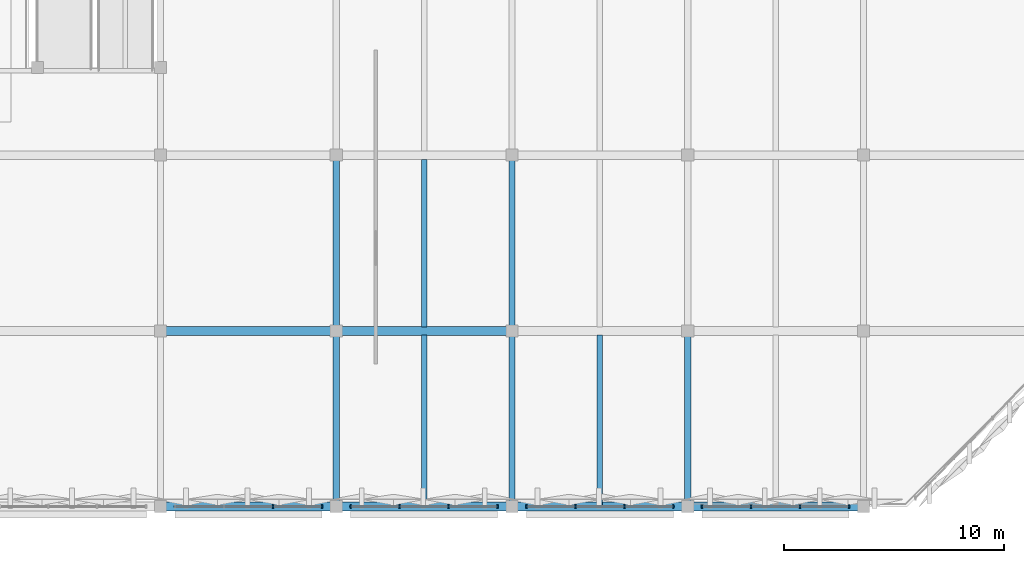
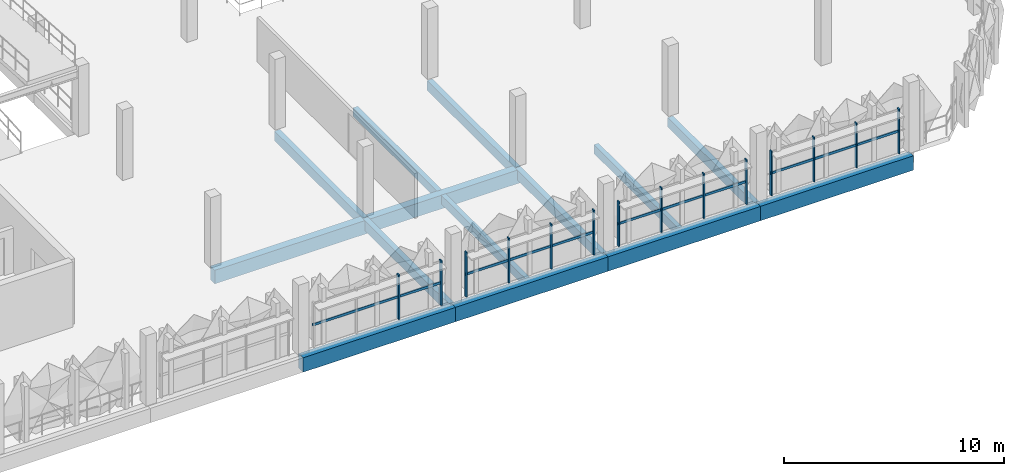
# One storey, part 20 of 96: 18 members, 14 beams, 4 elements without a shape of their own.
"""IFC4 building model written with IfcOpenShell, lengths in metres."""

from ifc_helpers import new_model, si_unit, derived_unit, direction, frame, origin, origin_2d, place, context, subcontext, project, spatial, rectangle, extrude, material, layer, layer_set, material_profile, profile_set, type_object, element, aggregate, save


model = new_model("IFC4")

# Units and contexts
model_context = context("Model", 3, precision=1e-05, world=origin(), true_north=direction((0.0, 1.0)))
body_context = subcontext(model_context, "Body", "Model", "MODEL_VIEW")
ifc_project = project(units=[si_unit("LENGTHUNIT", "METRE"), si_unit("AREAUNIT", "SQUARE_METRE"), si_unit("VOLUMEUNIT", "CUBIC_METRE"), si_unit("PLANEANGLEUNIT", "RADIAN"), si_unit("MASSUNIT", "GRAM", prefix="KILO"), si_unit("THERMODYNAMICTEMPERATUREUNIT", "KELVIN"), derived_unit("THERMALTRANSMITTANCEUNIT", [(si_unit("POWERUNIT", "WATT"), 1), (si_unit("AREAUNIT", "SQUARE_METRE"), -1), (si_unit("THERMODYNAMICTEMPERATUREUNIT", "KELVIN"), -1)])], contexts=[model_context])

# Site, building, storey
site_placement = place(None, origin())
site = spatial("IfcSite", under=ifc_project, at=site_placement, CompositionType="ELEMENT")
building_placement = place(site_placement, origin())
building = spatial("IfcBuilding", under=site, at=building_placement, Name="Haiyu Intermodal Mobility Hub", CompositionType="ELEMENT")
storey_placement = place(building_placement, frame((0.0, 0.0, 9.5)))
storey = spatial("IfcBuildingStorey", under=building, at=storey_placement, Name="L02", CompositionType="ELEMENT", Elevation=9.5)

# Beams
ifc_material_1 = material(Name="Concrete C40", Category="concrete")
ifc_material_profile_1 = material_profile(ifc_material_1, rectangle(XDim=0.39990234375, YDim=0.75, at=origin_2d()), Name="RCB400x750")
ifc_profile_set_1 = profile_set([ifc_material_profile_1], Name="Concrete C40")
beam_type_1 = type_object("IfcBeamType", Name="BM-CB03", PredefinedType="BEAM", material=ifc_profile_set_1)
for number, where, z_axis, x_axis, name in (
    (1, (170.0, 24.0, -0.635009765625), (1.0, 0.0, 0.0), (0.0, 1.0, 0.0), "BM-V5G-L02-009"),
    (2, (178.0, 24.0, -0.635009765625), (1.0, 0.0, 0.0), (0.0, 1.0, 0.0), "BM-V5G-L02-010"),
):
    element("IfcBeam", number, at=place(storey_placement, frame(where, z_axis=z_axis, x_axis=x_axis)), inside=storey, type_object=beam_type_1, Name=name, PredefinedType="BEAM", context=body_context, shape_type="SweptSolid", body=[
        extrude(rectangle(XDim=0.39990234375, YDim=0.75, at=origin_2d()), origin(), (0.0, 0.0, 1.0), 8.0),
    ])
ifc_material_profile_2 = material_profile(ifc_material_1, rectangle(XDim=0.39990234375, YDim=0.800048828125, at=origin_2d()), Name="RCB400x800")
ifc_profile_set_2 = profile_set([ifc_material_profile_2], Name="Concrete C40")
beam_type_2 = type_object("IfcBeamType", Name="BM-CB05", PredefinedType="BEAM", material=ifc_profile_set_2)
for number, where, z_axis, x_axis, name in (
    (3, (170.0, 16.0, -0.659912109375), (1.0, 0.0, 0.0), (0.0, 1.0, 0.0), "BM-V5G-L02-003"),
    (4, (178.0, 16.0, -0.659912109375), (1.0, 0.0, 0.0), (0.0, 1.0, 0.0), "BM-V5G-L02-004"),
    (5, (186.0, 16.0, -0.659912109375), (1.0, 0.0, 0.0), (0.0, 1.0, 0.0), "BM-V5G-L02-005"),
    (6, (194.0, 16.0, -0.659912109375), (1.0, 0.0, 0.0), (0.0, 1.0, 0.0), "BM-V5G-L02-006"),
):
    element("IfcBeam", number, at=place(storey_placement, frame(where, z_axis=z_axis, x_axis=x_axis)), inside=storey, type_object=beam_type_2, Name=name, PredefinedType="BEAM", context=body_context, shape_type="SweptSolid", body=[
        extrude(rectangle(XDim=0.39990234375, YDim=0.800048828125, at=origin_2d()), origin(), (0.0, 0.0, 1.0), 8.0),
    ])
ifc_material_profile_3 = material_profile(ifc_material_1, rectangle(XDim=0.280029296875, YDim=0.5400390625, at=origin_2d()), Name="RCB280x540")
ifc_profile_set_3 = profile_set([ifc_material_profile_3], Name="Concrete C40")
beam_type_3 = type_object("IfcBeamType", Name="BM-CB08", PredefinedType="JOIST", material=ifc_profile_set_3)
for number, where, z_axis, x_axis, name in (
    (7, (178.0, 16.0, -0.530029296875), (0.0, 1.0, 0.0), (-1.0, 0.0, 0.0), "BM-V5T-L02-025"),
    (8, (178.0, 24.0, -0.530029296875), (0.0, 1.0, 0.0), (-1.0, 0.0, 0.0), "BM-V5T-L02-026"),
    (9, (186.0, 16.0, -0.530029296875), (0.0, 1.0, 0.0), (-1.0, 0.0, 0.0), "BM-V5T-L02-033"),
    (10, (186.0, 24.0, -0.530029296875), (0.0, 1.0, 0.0), (-1.0, 0.0, 0.0), "BM-V5T-L02-034"),
    (11, (194.0, 16.0, -0.530029296875), (0.0, 1.0, 0.0), (-1.0, 0.0, 0.0), "BM-V5T-L02-041"),
):
    element("IfcBeam", number, at=place(storey_placement, frame(where, z_axis=z_axis, x_axis=x_axis)), inside=storey, type_object=beam_type_3, Name=name, PredefinedType="JOIST", context=body_context, shape_type="SweptSolid", body=[
        extrude(rectangle(XDim=0.280029296875, YDim=0.5400390625, at=origin_2d()), origin(), (0.0, 0.0, 1.0), 8.0),
    ])
ifc_material_profile_4 = material_profile(ifc_material_1, rectangle(XDim=0.25, YDim=0.47998046875, at=origin_2d()), Name="RCB250x480")
ifc_profile_set_4 = profile_set([ifc_material_profile_4], Name="Concrete C40")
beam_type_4 = type_object("IfcBeamType", Name="BM-CB09", PredefinedType="JOIST", material=ifc_profile_set_4)
beam_1_placement = place(storey_placement, frame((182.0, 16.0, -0.5), z_axis=(0.0, 1.0, 0.0), x_axis=(-1.0, 0.0, 0.0)))
element("IfcBeam", 12, at=beam_1_placement, inside=storey, type_object=beam_type_4, Name="BM-V5J-L02-009", PredefinedType="JOIST", context=body_context, shape_type="SweptSolid", body=[
    extrude(rectangle(XDim=0.25, YDim=0.47998046875, at=origin_2d()), origin(), (0.0, 0.0, 1.0), 7.81494140625),
])
beam_2_placement = place(storey_placement, frame((182.0, 24.18505859375, -0.5), z_axis=(0.0, 1.0, 0.0), x_axis=(-1.0, 0.0, 0.0)))
element("IfcBeam", 13, at=beam_2_placement, inside=storey, type_object=beam_type_4, Name="BM-V5J-L02-010", PredefinedType="JOIST", context=body_context, shape_type="SweptSolid", body=[
    extrude(rectangle(XDim=0.25, YDim=0.47998046875, at=origin_2d()), origin(), (0.0, 0.0, 1.0), 7.6298828125),
])
beam_3_placement = place(storey_placement, frame((190.0, 16.0, -0.5), z_axis=(0.0, 1.0, 0.0), x_axis=(-1.0, 0.0, 0.0)))
element("IfcBeam", 14, at=beam_3_placement, inside=storey, type_object=beam_type_4, Name="BM-V5J-L02-015", PredefinedType="JOIST", context=body_context, shape_type="SweptSolid", body=[
    extrude(rectangle(XDim=0.25, YDim=0.47998046875, at=origin_2d()), origin(), (0.0, 0.0, 1.0), 7.81494140625),
])

# Curtain wall, members
ifc_material_2 = material(Name="Low-e laminated insulating glass", Category="glass")
ifc_layer = layer(ifc_material_2, 0.2099609375)
ifc_layer_set = layer_set([ifc_layer], Name="Low-e laminated insulating glass")
curtain_wall_type = type_object("IfcCurtainWallType", Name="CW-CW04", PredefinedType="NOTDEFINED", material=ifc_layer_set)
curtain_wall_1_placement = place(storey_placement, origin())
curtain_wall_1 = element("IfcCurtainWall", 15, at=curtain_wall_1_placement, inside=storey, type_object=curtain_wall_type, Name="Curtain Wall CW-V5S-L02-107", PredefinedType="NOTDEFINED")
ifc_material_3 = material(Name="Anodised aluminium 6063-T6", Category="aluminium")
ifc_material_profile_5 = material_profile(ifc_material_3, rectangle(XDim=0.06494140625, YDim=0.1650390625, at=origin_2d()), Name="ALU65x165")
ifc_profile_set_5 = profile_set([ifc_material_profile_5], Name="Anodised aluminium 6063-T6")
member_type_1 = type_object("IfcMemberType", Name="CWM-ML02", PredefinedType="MULLION", material=ifc_profile_set_5)
member_1_placement = place(storey_placement, frame((175.113037109375, 16.0, 0.0), z_axis=(0.0, 0.0, 1.0), x_axis=(1.0, 0.0, 0.0)))
member_1 = element("IfcMember", 16, at=member_1_placement, type_object=member_type_1, Name="CW-V5S-L02-107-ML03", PredefinedType="MULLION", context=body_context, shape_type="SweptSolid", body=[
    extrude(rectangle(XDim=0.06494140625, YDim=0.1650390625, at=origin_2d()), origin(), (0.0, 0.0, 1.0), 2.47998046875),
])
member_2_placement = place(storey_placement, frame((177.340087890625, 16.0, 0.0), z_axis=(0.0, 0.0, 1.0), x_axis=(1.0, 0.0, 0.0)))
member_2 = element("IfcMember", 17, at=member_2_placement, type_object=member_type_1, Name="CW-V5S-L02-107-ML04", PredefinedType="MULLION", context=body_context, shape_type="SweptSolid", body=[
    extrude(rectangle(XDim=0.06494140625, YDim=0.1650390625, at=origin_2d()), origin(), (0.0, 0.0, 1.0), 2.47998046875),
])

curtain_wall_2_placement = place(storey_placement, origin())
curtain_wall_2 = element("IfcCurtainWall", 18, at=curtain_wall_2_placement, inside=storey, type_object=curtain_wall_type, Name="Curtain Wall CW-V5S-L02-108", PredefinedType="NOTDEFINED")
member_3_placement = place(storey_placement, frame((178.659912109375, 16.0, 0.0), z_axis=(0.0, 0.0, 1.0), x_axis=(1.0, 0.0, 0.0)))
member_3 = element("IfcMember", 19, at=member_3_placement, type_object=member_type_1, Name="CW-V5S-L02-108-ML01", PredefinedType="MULLION", context=body_context, shape_type="SweptSolid", body=[
    extrude(rectangle(XDim=0.06494140625, YDim=0.1650390625, at=origin_2d()), origin(), (0.0, 0.0, 1.0), 2.47998046875),
])
member_4_placement = place(storey_placement, frame((180.886962890625, 16.0, 0.0), z_axis=(0.0, 0.0, 1.0), x_axis=(1.0, 0.0, 0.0)))
member_4 = element("IfcMember", 20, at=member_4_placement, type_object=member_type_1, Name="CW-V5S-L02-108-ML02", PredefinedType="MULLION", context=body_context, shape_type="SweptSolid", body=[
    extrude(rectangle(XDim=0.06494140625, YDim=0.1650390625, at=origin_2d()), origin(), (0.0, 0.0, 1.0), 2.47998046875),
])
member_5_placement = place(storey_placement, frame((183.113037109375, 16.0, 0.0), z_axis=(0.0, 0.0, 1.0), x_axis=(1.0, 0.0, 0.0)))
member_5 = element("IfcMember", 21, at=member_5_placement, type_object=member_type_1, Name="CW-V5S-L02-108-ML03", PredefinedType="MULLION", context=body_context, shape_type="SweptSolid", body=[
    extrude(rectangle(XDim=0.06494140625, YDim=0.1650390625, at=origin_2d()), origin(), (0.0, 0.0, 1.0), 2.47998046875),
])
member_6_placement = place(storey_placement, frame((185.340087890625, 16.0, 0.0), z_axis=(0.0, 0.0, 1.0), x_axis=(1.0, 0.0, 0.0)))
member_6 = element("IfcMember", 22, at=member_6_placement, type_object=member_type_1, Name="CW-V5S-L02-108-ML04", PredefinedType="MULLION", context=body_context, shape_type="SweptSolid", body=[
    extrude(rectangle(XDim=0.06494140625, YDim=0.1650390625, at=origin_2d()), origin(), (0.0, 0.0, 1.0), 2.47998046875),
])

curtain_wall_3_placement = place(storey_placement, origin())
curtain_wall_3 = element("IfcCurtainWall", 23, at=curtain_wall_3_placement, inside=storey, type_object=curtain_wall_type, Name="Curtain Wall CW-V5S-L02-109", PredefinedType="NOTDEFINED")
member_7_placement = place(storey_placement, frame((186.659912109375, 16.0, 0.0), z_axis=(0.0, 0.0, 1.0), x_axis=(1.0, 0.0, 0.0)))
member_7 = element("IfcMember", 24, at=member_7_placement, type_object=member_type_1, Name="CW-V5S-L02-109-ML01", PredefinedType="MULLION", context=body_context, shape_type="SweptSolid", body=[
    extrude(rectangle(XDim=0.06494140625, YDim=0.1650390625, at=origin_2d()), origin(), (0.0, 0.0, 1.0), 2.47998046875),
])
member_8_placement = place(storey_placement, frame((188.886962890625, 16.0, 0.0), z_axis=(0.0, 0.0, 1.0), x_axis=(1.0, 0.0, 0.0)))
member_8 = element("IfcMember", 25, at=member_8_placement, type_object=member_type_1, Name="CW-V5S-L02-109-ML02", PredefinedType="MULLION", context=body_context, shape_type="SweptSolid", body=[
    extrude(rectangle(XDim=0.06494140625, YDim=0.1650390625, at=origin_2d()), origin(), (0.0, 0.0, 1.0), 2.47998046875),
])
member_9_placement = place(storey_placement, frame((191.113037109375, 16.0, 0.0), z_axis=(0.0, 0.0, 1.0), x_axis=(1.0, 0.0, 0.0)))
member_9 = element("IfcMember", 26, at=member_9_placement, type_object=member_type_1, Name="CW-V5S-L02-109-ML03", PredefinedType="MULLION", context=body_context, shape_type="SweptSolid", body=[
    extrude(rectangle(XDim=0.06494140625, YDim=0.1650390625, at=origin_2d()), origin(), (0.0, 0.0, 1.0), 2.47998046875),
])
member_10_placement = place(storey_placement, frame((193.340087890625, 16.0, 0.0), z_axis=(0.0, 0.0, 1.0), x_axis=(1.0, 0.0, 0.0)))
member_10 = element("IfcMember", 27, at=member_10_placement, type_object=member_type_1, Name="CW-V5S-L02-109-ML04", PredefinedType="MULLION", context=body_context, shape_type="SweptSolid", body=[
    extrude(rectangle(XDim=0.06494140625, YDim=0.1650390625, at=origin_2d()), origin(), (0.0, 0.0, 1.0), 2.47998046875),
])

curtain_wall_4_placement = place(storey_placement, origin())
curtain_wall_4 = element("IfcCurtainWall", 28, at=curtain_wall_4_placement, inside=storey, type_object=curtain_wall_type, Name="Curtain Wall CW-V5S-L02-110", PredefinedType="NOTDEFINED")
member_11_placement = place(storey_placement, frame((194.659912109375, 16.0, 0.0), z_axis=(0.0, 0.0, 1.0), x_axis=(1.0, 0.0, 0.0)))
member_11 = element("IfcMember", 29, at=member_11_placement, type_object=member_type_1, Name="CW-V5S-L02-110-ML01", PredefinedType="MULLION", context=body_context, shape_type="SweptSolid", body=[
    extrude(rectangle(XDim=0.06494140625, YDim=0.1650390625, at=origin_2d()), origin(), (0.0, 0.0, 1.0), 2.47998046875),
])
member_12_placement = place(storey_placement, frame((196.886962890625, 16.0, 0.0), z_axis=(0.0, 0.0, 1.0), x_axis=(1.0, 0.0, 0.0)))
member_12 = element("IfcMember", 30, at=member_12_placement, type_object=member_type_1, Name="CW-V5S-L02-110-ML02", PredefinedType="MULLION", context=body_context, shape_type="SweptSolid", body=[
    extrude(rectangle(XDim=0.06494140625, YDim=0.1650390625, at=origin_2d()), origin(), (0.0, 0.0, 1.0), 2.47998046875),
])
member_13_placement = place(storey_placement, frame((199.113037109375, 16.0, 0.0), z_axis=(0.0, 0.0, 1.0), x_axis=(1.0, 0.0, 0.0)))
member_13 = element("IfcMember", 31, at=member_13_placement, type_object=member_type_1, Name="CW-V5S-L02-110-ML03", PredefinedType="MULLION", context=body_context, shape_type="SweptSolid", body=[
    extrude(rectangle(XDim=0.06494140625, YDim=0.1650390625, at=origin_2d()), origin(), (0.0, 0.0, 1.0), 2.47998046875),
])
member_14_placement = place(storey_placement, frame((201.340087890625, 16.0, 0.0), z_axis=(0.0, 0.0, 1.0), x_axis=(1.0, 0.0, 0.0)))
member_14 = element("IfcMember", 32, at=member_14_placement, type_object=member_type_1, Name="CW-V5S-L02-110-ML04", PredefinedType="MULLION", context=body_context, shape_type="SweptSolid", body=[
    extrude(rectangle(XDim=0.06494140625, YDim=0.1650390625, at=origin_2d()), origin(), (0.0, 0.0, 1.0), 2.47998046875),
])

# Member
ifc_material_profile_6 = material_profile(ifc_material_3, rectangle(XDim=0.06494140625, YDim=0.135009765625, at=origin_2d()), Name="ALU65x135")
ifc_profile_set_6 = profile_set([ifc_material_profile_6], Name="Anodised aluminium 6063-T6")
member_type_2 = type_object("IfcMemberType", Name="CWM-TR02", PredefinedType="USERDEFINED", material=ifc_profile_set_6)
member_15_placement = place(storey_placement, frame((170.6201171875, 16.0, 1.239990234375), z_axis=(1.0, 0.0, 0.0), x_axis=(0.0, 1.0, 0.0)))
member_15 = element("IfcMember", 33, at=member_15_placement, type_object=member_type_2, Name="CW-V5S-L02-107-TR01", ObjectType="TRANSOM", PredefinedType="USERDEFINED", context=body_context, shape_type="SweptSolid", body=[
    extrude(rectangle(XDim=0.06494140625, YDim=0.135009765625, at=origin_2d()), origin(), (0.0, 0.0, 1.0), 6.759765625),
])

aggregate(curtain_wall_1, [member_1, member_2, member_15])

member_16_placement = place(storey_placement, frame((178.6201171875, 16.0, 1.239990234375), z_axis=(1.0, 0.0, 0.0), x_axis=(0.0, 1.0, 0.0)))
member_16 = element("IfcMember", 34, at=member_16_placement, type_object=member_type_2, Name="CW-V5S-L02-108-TR01", ObjectType="TRANSOM", PredefinedType="USERDEFINED", context=body_context, shape_type="SweptSolid", body=[
    extrude(rectangle(XDim=0.06494140625, YDim=0.135009765625, at=origin_2d()), origin(), (0.0, 0.0, 1.0), 6.759765625),
])

aggregate(curtain_wall_2, [member_3, member_4, member_5, member_6, member_16])

member_17_placement = place(storey_placement, frame((186.6201171875, 16.0, 1.239990234375), z_axis=(1.0, 0.0, 0.0), x_axis=(0.0, 1.0, 0.0)))
member_17 = element("IfcMember", 35, at=member_17_placement, type_object=member_type_2, Name="CW-V5S-L02-109-TR01", ObjectType="TRANSOM", PredefinedType="USERDEFINED", context=body_context, shape_type="SweptSolid", body=[
    extrude(rectangle(XDim=0.06494140625, YDim=0.135009765625, at=origin_2d()), origin(), (0.0, 0.0, 1.0), 6.759765625),
])

aggregate(curtain_wall_3, [member_7, member_8, member_9, member_10, member_17])

member_18_placement = place(storey_placement, frame((194.6201171875, 16.0, 1.239990234375), z_axis=(1.0, 0.0, 0.0), x_axis=(0.0, 1.0, 0.0)))
member_18 = element("IfcMember", 36, at=member_18_placement, type_object=member_type_2, Name="CW-V5S-L02-110-TR01", ObjectType="TRANSOM", PredefinedType="USERDEFINED", context=body_context, shape_type="SweptSolid", body=[
    extrude(rectangle(XDim=0.06494140625, YDim=0.135009765625, at=origin_2d()), origin(), (0.0, 0.0, 1.0), 6.759765625),
])

aggregate(curtain_wall_4, [member_11, member_12, member_13, member_14, member_18])

save(model, "model.ifc")
